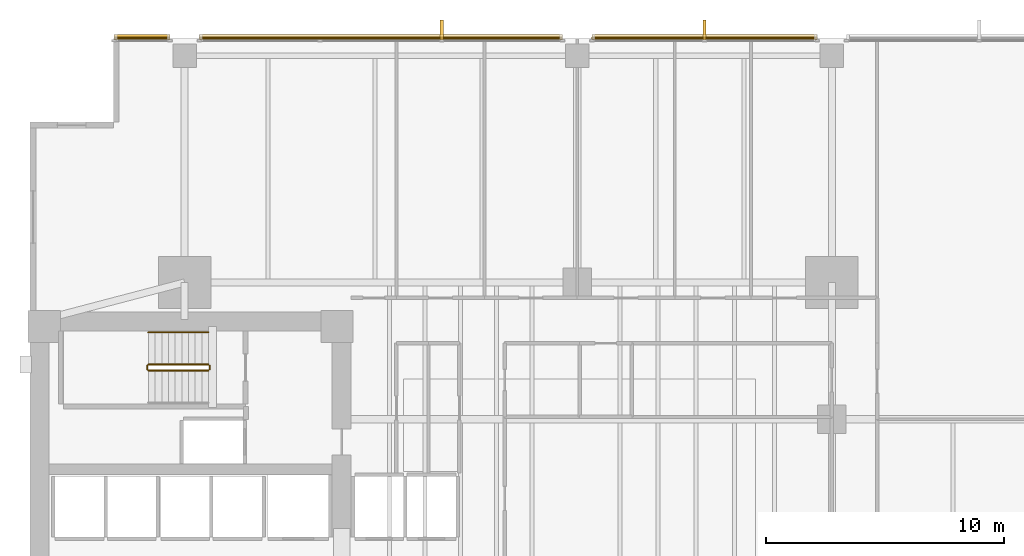
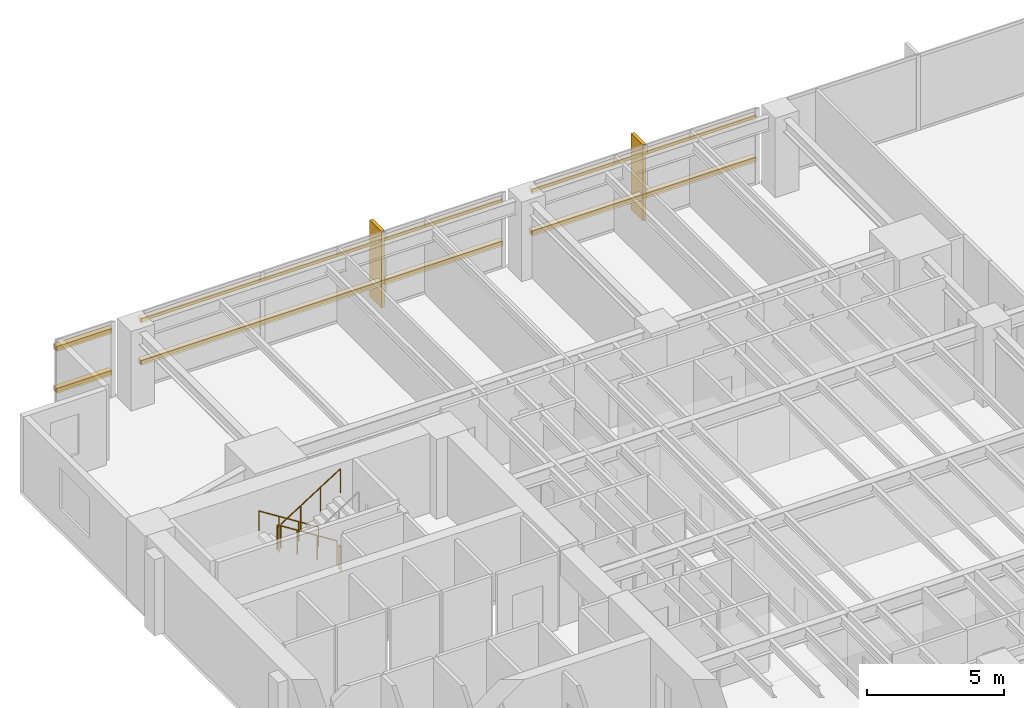
# One storey, part 14 of 15: 8 coverings, 6 shading devices, 5 railings.
"""IFC4 building model written with IfcOpenShell, lengths in metres."""

from ifc_helpers import new_model, si_unit, direction, frame, origin, origin_2d, place, context, subcontext, project, spatial, polyline, rectangle, circle, outline, extrude, material, layer, layer_set, material_profile, profile_set, type_object, element, save


model = new_model("IFC4")

# Units and contexts
model_context = context("Model", 3, precision=1e-05, world=origin(), true_north=direction((0.0, 1.0)))
body_context = subcontext(model_context, "Body", "Model", "MODEL_VIEW")
ifc_project = project(units=[si_unit("LENGTHUNIT", "METRE"), si_unit("AREAUNIT", "SQUARE_METRE"), si_unit("VOLUMEUNIT", "CUBIC_METRE"), si_unit("PLANEANGLEUNIT", "RADIAN"), si_unit("MASSUNIT", "GRAM", prefix="KILO")], contexts=[model_context])

# Site, building, storey
site_placement = place(None, origin())
site = spatial("IfcSite", under=ifc_project, at=site_placement, CompositionType="ELEMENT")
building_placement = place(site_placement, origin())
building = spatial("IfcBuilding", under=site, at=building_placement, Name="Kinhvarn Gate Tower", CompositionType="ELEMENT")
storey_placement = place(building_placement, frame((0.0, 0.0, 54.0)))
storey = spatial("IfcBuildingStorey", under=building, at=storey_placement, Name="L13", CompositionType="ELEMENT", Elevation=54.0)

# Coverings
ifc_material_1 = material(Name="Fired architectural terracotta", Category="masonry")
ifc_layer_1 = layer(ifc_material_1, 0.239990234375)
ifc_layer_set_1 = layer_set([ifc_layer_1], Name="Fired architectural terracotta")
covering_type_1 = type_object("IfcCoveringType", Name="COV-BAG-220", PredefinedType="CLADDING", material=ifc_layer_set_1)
for number, where, name in (
    (1, (0.0, 0.0, 0.93994140625), "Terracotta Horizontal Sunscreen Band TBG-220 (L13)"),
    (2, (0.0, 0.0, 2.81005859375), "Terracotta Horizontal Sunscreen Band TBG-220 (L13)"),
):
    element("IfcCovering", number, at=place(storey_placement, frame(where)), inside=storey, type_object=covering_type_1, Name=name, PredefinedType="CLADDING", context=body_context, shape_type="SweptSolid", body=[
        extrude(outline(polyline([(37.580078125, 47.93994140625), (28.1201171875, 47.93994140625), (28.1201171875, 48.179931640625), (37.580078125, 48.179931640625), (37.580078125, 47.93994140625)])), origin(), (0.0, 0.0, 1.0), 0.219970703125),
    ])
for number, where, name in (
    (3, (0.0, 0.0, 0.93994140625), "Terracotta Horizontal Sunscreen Band TBG-220 (L13)"),
    (4, (0.0, 0.0, 2.81005859375), "Terracotta Horizontal Sunscreen Band TBG-220 (L13)"),
):
    element("IfcCovering", number, at=place(storey_placement, frame(where)), inside=storey, type_object=covering_type_1, Name=name, PredefinedType="CLADDING", context=body_context, shape_type="SweptSolid", body=[
        extrude(outline(polyline([(26.8798828125, 47.93994140625), (11.6201171875, 47.93994140625), (11.6201171875, 48.179931640625), (26.8798828125, 48.179931640625), (26.8798828125, 47.93994140625)])), origin(), (0.0, 0.0, 1.0), 0.219970703125),
    ])
for number, where, name in (
    (5, (0.0, 0.0, 0.93994140625), "Terracotta Horizontal Sunscreen Band TBG-220 (L13)"),
    (6, (0.0, 0.0, 2.81005859375), "Terracotta Horizontal Sunscreen Band TBG-220 (L13)"),
):
    element("IfcCovering", number, at=place(storey_placement, frame(where)), inside=storey, type_object=covering_type_1, Name=name, PredefinedType="CLADDING", context=body_context, shape_type="SweptSolid", body=[
        extrude(outline(polyline([(10.3798828125, 47.93994140625), (8.0400390625, 47.93994140625), (8.0400390625, 48.179931640625), (10.3798828125, 48.179931640625), (10.3798828125, 47.93994140625)])), origin(), (0.0, 0.0, 1.0), 0.219970703125),
    ])
ifc_layer_2 = layer(ifc_material_1, 0.139892578125)
ifc_layer_set_2 = layer_set([ifc_layer_2], Name="Fired architectural terracotta")
covering_type_2 = type_object("IfcCoveringType", Name="COV-FIN-850", PredefinedType="CLADDING", material=ifc_layer_set_2)
covering_1_placement = place(storey_placement, frame((0.0, 0.0, -0.02001953125)))
element("IfcCovering", 7, at=covering_1_placement, inside=storey, type_object=covering_type_2, Name="Vertical Terracotta Expressive Fin TFN-850 (L13)", PredefinedType="CLADDING", context=body_context, shape_type="SweptSolid", body=[
    extrude(outline(polyline([(32.919921875, 47.929931640625), (32.780029296875, 47.929931640625), (32.780029296875, 48.780029296875), (32.919921875, 48.780029296875), (32.919921875, 47.929931640625)])), origin(), (0.0, 0.0, 1.0), 3.409912109375),
])
covering_2_placement = place(storey_placement, frame((0.0, 0.0, -0.02001953125)))
element("IfcCovering", 8, at=covering_2_placement, inside=storey, type_object=covering_type_2, Name="Vertical Terracotta Expressive Fin TFN-850 (L13)", PredefinedType="CLADDING", context=body_context, shape_type="SweptSolid", body=[
    extrude(outline(polyline([(21.876708984375, 47.929931640625), (21.73681640625, 47.929931640625), (21.73681640625, 48.780029296875), (21.876708984375, 48.780029296875), (21.876708984375, 47.929931640625)])), origin(), (0.0, 0.0, 1.0), 3.409912109375),
])

# Railings
ifc_material_2 = material(Name="Steel S355", Category="steel")
railing_type_1 = type_object("IfcRailingType", Name="RL-ST-GRD", PredefinedType="BALUSTRADE", material=ifc_material_2)
railing_1_placement = place(storey_placement, frame((12.0, 34.300048828125, 0.177490234375)))
element("IfcRailing", 9, at=railing_1_placement, inside=storey, type_object=railing_type_1, Name="L13 ST2 stair guard 1", PredefinedType="BALUSTRADE", context=body_context, shape_type="SweptSolid", body=[
    extrude(circle(Radius=0.02392578125, at=origin_2d()), frame((0.0, 0.0, 1.076171875), z_axis=(-0.84460694969, 0.0, 0.535386869969), x_axis=(0.0, -1.0, 0.0)), (0.0, 0.0, 1.0), 2.983642578125),
    extrude(circle(Radius=0.02099609375, at=origin_2d()), origin(), (0.0, 0.0, 1.0), 1.052001953125),
    extrude(circle(Radius=0.02099609375, at=origin_2d()), frame((-0.840087890625, 0.0, 0.532470703125)), (0.0, 0.0, 1.0), 1.052001953125),
    extrude(circle(Radius=0.02099609375, at=origin_2d()), frame((-1.679931640625, 0.0, 1.06494140625)), (0.0, 0.0, 1.0), 1.052001953125),
    extrude(circle(Radius=0.02099609375, at=origin_2d()), frame((-2.52001953125, 0.0, 1.597412109375)), (0.0, 0.0, 1.0), 1.052001953125),
])
railing_2_placement = place(storey_placement, frame((9.429931640625, 34.25, 1.77490234375)))
element("IfcRailing", 10, at=railing_2_placement, inside=storey, type_object=railing_type_1, Name="L13 ST2 stair guard 2", PredefinedType="BALUSTRADE", context=body_context, shape_type="SweptSolid", body=[
    extrude(circle(Radius=0.02392578125, at=origin_2d()), frame((0.0, 0.0, 1.076171875), z_axis=(0.0, -1.0, 0.0), x_axis=(1.0, 0.0, 0.0)), (0.0, 0.0, 1.0), 0.14990234375),
    extrude(circle(Radius=0.02099609375, at=origin_2d()), origin(), (0.0, 0.0, 1.0), 1.052001953125),
    extrude(circle(Radius=0.02099609375, at=origin_2d()), frame((0.0, -0.14990234375, 0.0)), (0.0, 0.0, 1.0), 1.052001953125),
])
railing_3_placement = place(storey_placement, frame((9.47998046875, 34.050048828125, 1.952392578125)))
element("IfcRailing", 11, at=railing_3_placement, inside=storey, type_object=railing_type_1, Name="L13 ST2 stair guard 3", PredefinedType="BALUSTRADE", context=body_context, shape_type="SweptSolid", body=[
    extrude(circle(Radius=0.02392578125, at=origin_2d()), frame((0.0, 0.0, 1.076171875), z_axis=(0.84456994832, 0.0, 0.535445237532), x_axis=(0.0, 1.0, 0.0)), (0.0, 0.0, 1.0), 2.98388671875),
    extrude(circle(Radius=0.02099609375, at=origin_2d()), origin(), (0.0, 0.0, 1.0), 1.052001953125),
    extrude(circle(Radius=0.02099609375, at=origin_2d()), frame((0.840087890625, 0.0, 0.532470703125)), (0.0, 0.0, 1.0), 1.052001953125),
    extrude(circle(Radius=0.02099609375, at=origin_2d()), frame((1.679931640625, 0.0, 1.065185546875)), (0.0, 0.0, 1.0), 1.052001953125),
    extrude(circle(Radius=0.02099609375, at=origin_2d()), frame((2.52001953125, 0.0, 1.59765625)), (0.0, 0.0, 1.0), 1.052001953125),
])
railing_4_placement = place(storey_placement, frame((12.050048828125, 34.25, 0.0)))
element("IfcRailing", 12, at=railing_4_placement, inside=storey, type_object=railing_type_1, Name="L13 ST2 stair guard 4", PredefinedType="BALUSTRADE", context=body_context, shape_type="SweptSolid", body=[
    extrude(circle(Radius=0.02392578125, at=origin_2d()), frame((0.0, 0.0, 1.076171875), z_axis=(0.0, -1.0, 0.0), x_axis=(1.0, 0.0, 0.0)), (0.0, 0.0, 1.0), 0.14990234375),
    extrude(circle(Radius=0.02099609375, at=origin_2d()), origin(), (0.0, 0.0, 1.0), 1.052001953125),
    extrude(circle(Radius=0.02099609375, at=origin_2d()), frame((0.0, -0.14990234375, 0.0)), (0.0, 0.0, 1.0), 1.052001953125),
])
railing_type_2 = type_object("IfcRailingType", Name="RL-ST-HND", PredefinedType="HANDRAIL", material=ifc_material_2)
railing_5_placement = place(storey_placement, frame((12.0, 35.64990234375, 0.177490234375)))
element("IfcRailing", 13, at=railing_5_placement, inside=storey, type_object=railing_type_2, Name="L13 ST2 stair handrail 1", PredefinedType="HANDRAIL", context=body_context, shape_type="SweptSolid", body=[
    extrude(circle(Radius=0.02392578125, at=origin_2d()), frame((0.0, 0.0, 0.8759765625), z_axis=(-0.84460694969, 0.0, 0.535386869969), x_axis=(0.0, -1.0, 0.0)), (0.0, 0.0, 1.0), 2.983642578125),
    extrude(circle(Radius=0.02099609375, at=origin_2d()), origin(), (0.0, 0.0, 1.0), 0.851806640625),
    extrude(circle(Radius=0.02099609375, at=origin_2d()), frame((-0.840087890625, 0.0, 0.532470703125)), (0.0, 0.0, 1.0), 0.851806640625),
    extrude(circle(Radius=0.02099609375, at=origin_2d()), frame((-1.679931640625, 0.0, 1.06494140625)), (0.0, 0.0, 1.0), 0.851806640625),
    extrude(circle(Radius=0.02099609375, at=origin_2d()), frame((-2.52001953125, 0.0, 1.597412109375)), (0.0, 0.0, 1.0), 0.851806640625),
])

# Shading devices
ifc_material_profile = material_profile(ifc_material_1, rectangle(XDim=0.06005859375, YDim=0.139892578125, at=origin_2d()), Name="TC 60x140")
ifc_profile_set = profile_set([ifc_material_profile], Name="Fired architectural terracotta")
shading_device_type = type_object("IfcShadingDeviceType", Name="SHD-BAG-180", PredefinedType="USERDEFINED", material=ifc_profile_set)
for number, where, z_axis, x_axis, name in (
    (14, (37.580078125, 48.014892578125, 1.050048828125), (-1.0, 0.0, 0.0), (0.0, -1.0, 0.0), "Fired Terracotta Baguette Screen Rod 60x140 mm (L13)"),
    (15, (37.580078125, 48.014892578125, 2.919921875), (-1.0, 0.0, 0.0), (0.0, -1.0, 0.0), "Fired Terracotta Baguette Screen Rod 60x140 mm (L13)"),
):
    element("IfcShadingDevice", number, at=place(storey_placement, frame(where, z_axis=z_axis, x_axis=x_axis)), inside=storey, type_object=shading_device_type, Name=name, ObjectType="BAGUETTE", PredefinedType="USERDEFINED", context=body_context, shape_type="SweptSolid", body=[
        extrude(rectangle(XDim=0.06005859375, YDim=0.139892578125, at=origin_2d()), origin(), (0.0, 0.0, 1.0), 9.4599609375),
    ])
for number, where, z_axis, x_axis, name in (
    (16, (26.8798828125, 48.014892578125, 1.050048828125), (-1.0, 0.0, 0.0), (0.0, -1.0, 0.0), "Fired Terracotta Baguette Screen Rod 60x140 mm (L13)"),
    (17, (26.8798828125, 48.014892578125, 2.919921875), (-1.0, 0.0, 0.0), (0.0, -1.0, 0.0), "Fired Terracotta Baguette Screen Rod 60x140 mm (L13)"),
):
    element("IfcShadingDevice", number, at=place(storey_placement, frame(where, z_axis=z_axis, x_axis=x_axis)), inside=storey, type_object=shading_device_type, Name=name, ObjectType="BAGUETTE", PredefinedType="USERDEFINED", context=body_context, shape_type="SweptSolid", body=[
        extrude(rectangle(XDim=0.06005859375, YDim=0.139892578125, at=origin_2d()), origin(), (0.0, 0.0, 1.0), 15.259765625),
    ])
for number, where, z_axis, x_axis, name in (
    (18, (10.3798828125, 48.014892578125, 1.050048828125), (-1.0, 0.0, 0.0), (0.0, -1.0, 0.0), "Fired Terracotta Baguette Screen Rod 60x140 mm (L13)"),
    (19, (10.3798828125, 48.014892578125, 2.919921875), (-1.0, 0.0, 0.0), (0.0, -1.0, 0.0), "Fired Terracotta Baguette Screen Rod 60x140 mm (L13)"),
):
    element("IfcShadingDevice", number, at=place(storey_placement, frame(where, z_axis=z_axis, x_axis=x_axis)), inside=storey, type_object=shading_device_type, Name=name, ObjectType="BAGUETTE", PredefinedType="USERDEFINED", context=body_context, shape_type="SweptSolid", body=[
        extrude(rectangle(XDim=0.06005859375, YDim=0.139892578125, at=origin_2d()), origin(), (0.0, 0.0, 1.0), 2.33984375),
    ])

save(model, "model.ifc")
